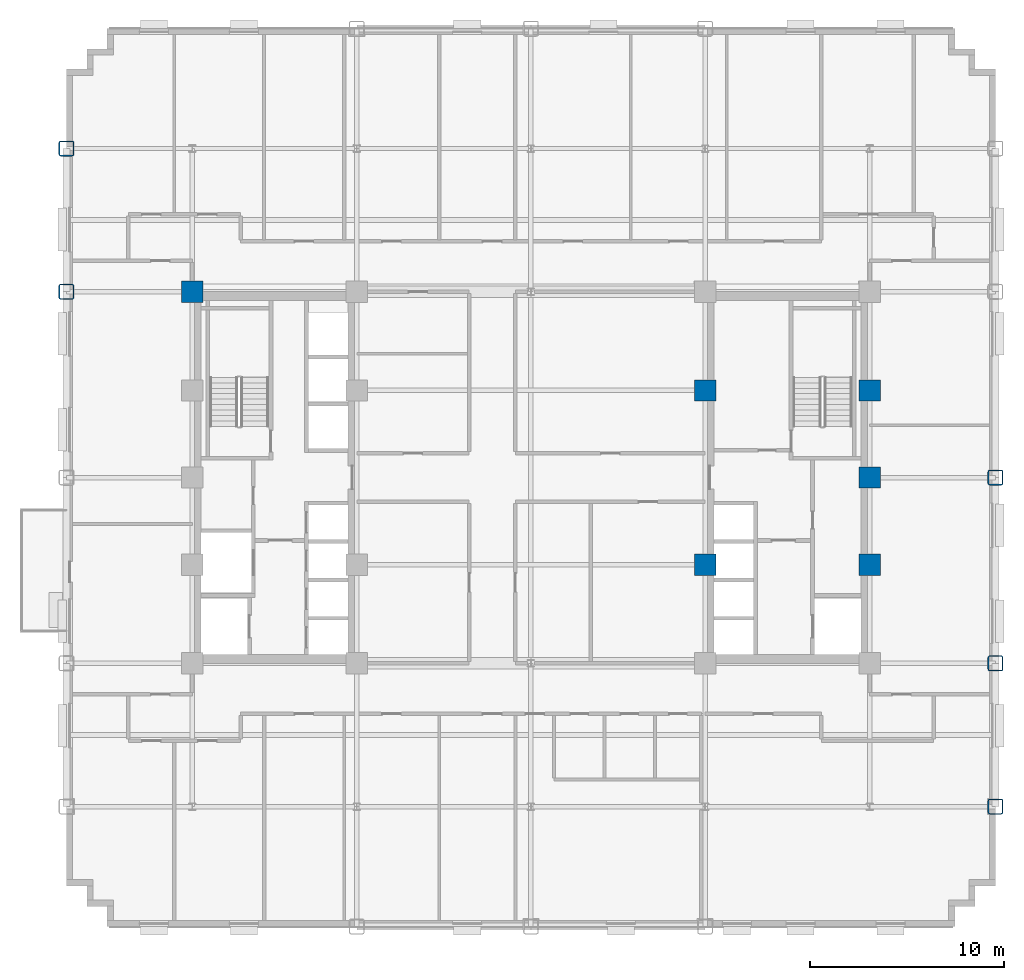
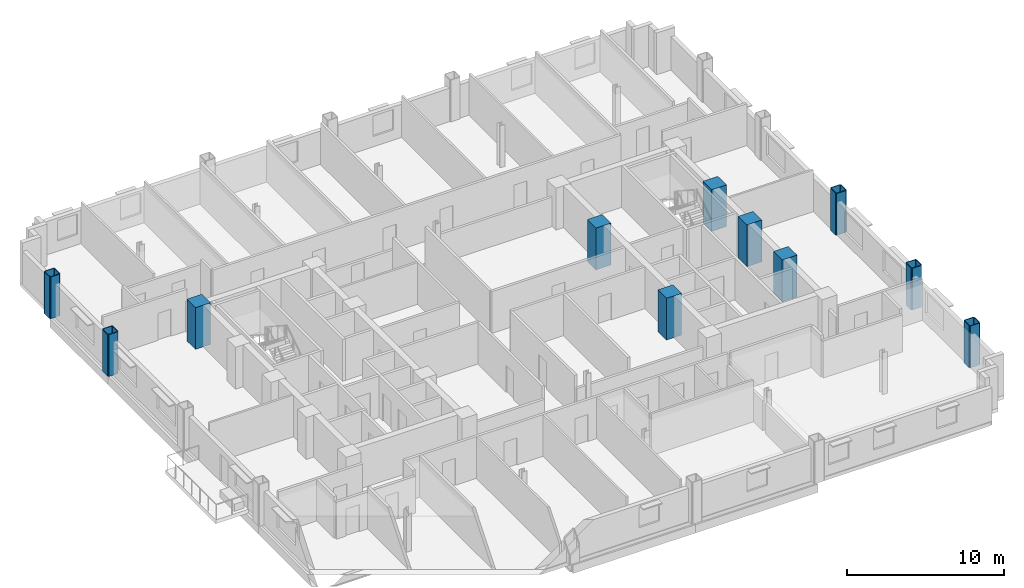
# One storey, part 2 of 14: 11 columns.
"""IFC4 building model written with IfcOpenShell, lengths in metres."""

from ifc_helpers import new_model, si_unit, direction, frame, origin, origin_2d, place, context, subcontext, project, spatial, rectangle, hollow_rectangle, extrude, material, material_profile, profile_set, type_object, element, save


model = new_model("IFC4")

# Units and contexts
model_context = context("Model", 3, precision=1e-05, world=origin(), true_north=direction((0.0, 1.0)))
body_context = subcontext(model_context, "Body", "Model", "MODEL_VIEW")
ifc_project = project(units=[si_unit("LENGTHUNIT", "METRE"), si_unit("AREAUNIT", "SQUARE_METRE"), si_unit("VOLUMEUNIT", "CUBIC_METRE"), si_unit("PLANEANGLEUNIT", "RADIAN"), si_unit("MASSUNIT", "GRAM", prefix="KILO")], contexts=[model_context])

# Site, building, storey
site_placement = place(None, origin())
site = spatial("IfcSite", under=ifc_project, at=site_placement, CompositionType="ELEMENT")
building_placement = place(site_placement, origin())
building = spatial("IfcBuilding", under=site, at=building_placement, Name="Nuvemarco Arch Tower", CompositionType="ELEMENT")
storey_placement = place(building_placement, frame((0.0, 0.0, 89.64990234375)))
storey = spatial("IfcBuildingStorey", under=building, at=storey_placement, Name="L23", CompositionType="ELEMENT", Elevation=89.64990234375)

# Columns
ifc_material_1 = material(Name="Concrete C60/75", Category="concrete")
ifc_material_profile_1 = material_profile(ifc_material_1, rectangle(XDim=1.10009765625, YDim=1.10009765625, at=origin_2d()), Name="RC-COL-1100x1100")
ifc_profile_set_1 = profile_set([ifc_material_profile_1], Name="Concrete C60/75")
column_type_1 = type_object("IfcColumnType", Name="COL-CORE-1100", PredefinedType="COLUMN", material=ifc_profile_set_1)
for number, where, z_axis, x_axis, name in (
    (1, (-17.5, 9.60009765625, 0.0), (0.0, 0.0, 1.0), (1.0, 0.0, 0.0), "L23 column CC_-17.5_+9.6"),
    (2, (9.0, -4.5, 0.0), (0.0, 0.0, 1.0), (1.0, 0.0, 0.0), "L23 column CC_+9.0_-4.5"),
    (3, (9.0, 4.5, 0.0), (0.0, 0.0, 1.0), (1.0, 0.0, 0.0), "L23 column CC_+9.0_+4.5"),
    (4, (17.5, -4.5, 0.0), (0.0, 0.0, 1.0), (1.0, 0.0, 0.0), "L23 column CC_+17.5_-4.5"),
    (5, (17.5, 4.5, 0.0), (0.0, 0.0, 1.0), (1.0, 0.0, 0.0), "L23 column CC_+17.5_+4.5"),
    (6, (17.5, 0.0, 0.0), (0.0, 0.0, 1.0), (1.0, 0.0, 0.0), "L23 column CC_+17.5_+0.0"),
):
    element("IfcColumn", number, at=place(storey_placement, frame(where, z_axis=z_axis, x_axis=x_axis)), inside=storey, type_object=column_type_1, Name=name, PredefinedType="COLUMN", context=body_context, shape_type="SweptSolid", body=[
        extrude(rectangle(XDim=1.10009765625, YDim=1.10009765625, at=origin_2d()), origin(), (0.0, 0.0, 1.0), 3.25),
    ])
ifc_material_2 = material(Name="Steel S460", Category="steel")
ifc_material_profile_2 = material_profile(ifc_material_2, hollow_rectangle(XDim=0.800048828125, YDim=0.800048828125, WallThickness=0.054931640625, InnerFilletRadius=0.054931640625, OuterFilletRadius=0.110107421875, at=origin_2d()), Name="SHS800x800x55")
ifc_profile_set_2 = profile_set([ifc_material_profile_2], Name="Steel S460")
column_type_2 = type_object("IfcColumnType", Name="COL-EXO-800", PredefinedType="COLUMN", material=ifc_profile_set_2)
for number, where, z_axis, x_axis, name in (
    (7, (-24.0, 9.60009765625, 0.0), (0.0, 0.0, 1.0), (1.0, 0.0, 0.0), "L23 column CX_-24.0_+9.6"),
    (8, (-24.0, 17.0, 0.0), (0.0, 0.0, 1.0), (1.0, 0.0, 0.0), "L23 column CX_-24.0_+17.0"),
    (9, (24.0, -17.0, 0.0), (0.0, 0.0, 1.0), (1.0, 0.0, 0.0), "L23 column CX_+24.0_-17.0"),
    (10, (24.0, -9.60009765625, 0.0), (0.0, 0.0, 1.0), (1.0, 0.0, 0.0), "L23 column CX_+24.0_-9.6"),
    (11, (24.0, 0.0, 0.0), (0.0, 0.0, 1.0), (1.0, 0.0, 0.0), "L23 column CX_+24.0_+0.0"),
):
    element("IfcColumn", number, at=place(storey_placement, frame(where, z_axis=z_axis, x_axis=x_axis)), inside=storey, type_object=column_type_2, Name=name, PredefinedType="COLUMN", context=body_context, shape_type="SweptSolid", body=[
        extrude(hollow_rectangle(XDim=0.800048828125, YDim=0.800048828125, WallThickness=0.054931640625, InnerFilletRadius=0.054931640625, OuterFilletRadius=0.110107421875, at=origin_2d()), origin(), (0.0, 0.0, 1.0), 3.25),
    ])

save(model, "model.ifc")
